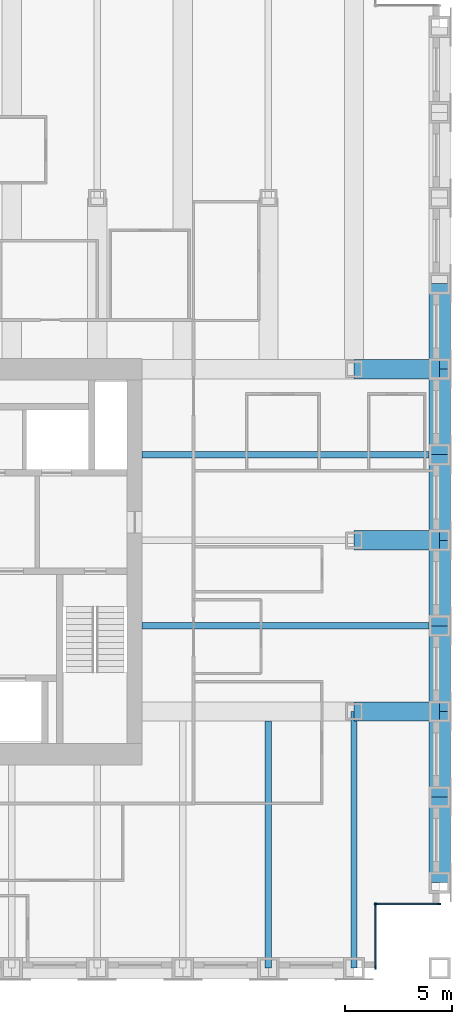
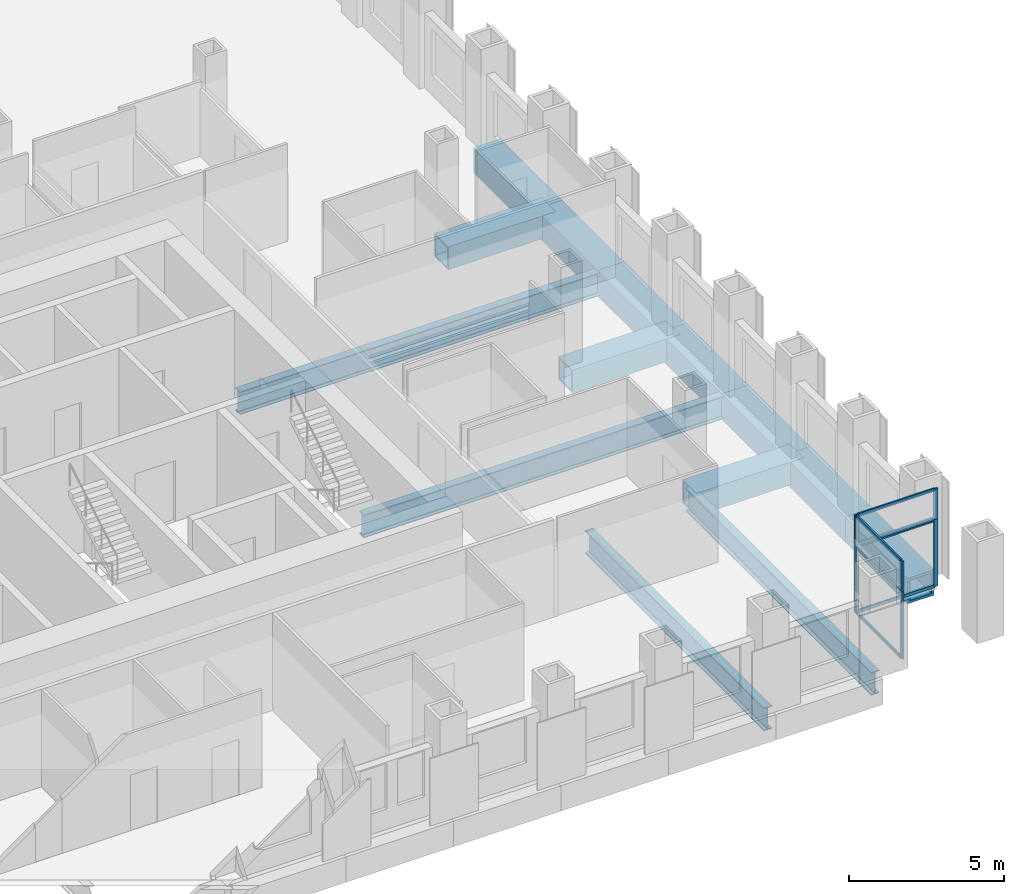
# One storey, part 4 of 14: 16 members, 14 beams, 4 elements without a shape of their own.
"""IFC4 building model written with IfcOpenShell, lengths in metres."""

from ifc_helpers import new_model, si_unit, direction, frame, origin, origin_2d, place, context, subcontext, project, spatial, rectangle, hollow_rectangle, i_section, extrude, material, material_profile, profile_set, type_object, element, aggregate, save


model = new_model("IFC4")

# Units and contexts
model_context = context("Model", 3, precision=1e-05, world=origin(), true_north=direction((0.0, 1.0)))
body_context = subcontext(model_context, "Body", "Model", "MODEL_VIEW")
ifc_project = project(units=[si_unit("LENGTHUNIT", "METRE"), si_unit("AREAUNIT", "SQUARE_METRE"), si_unit("VOLUMEUNIT", "CUBIC_METRE"), si_unit("PLANEANGLEUNIT", "RADIAN"), si_unit("MASSUNIT", "GRAM", prefix="KILO")], contexts=[model_context])

# Site, building, storey
site_placement = place(None, origin())
site = spatial("IfcSite", under=ifc_project, at=site_placement, CompositionType="ELEMENT")
building_placement = place(site_placement, origin())
building = spatial("IfcBuilding", under=site, at=building_placement, Name="Rimbunsela Tower", CompositionType="ELEMENT")
storey_placement = place(building_placement, frame((0.0, 0.0, 234.199951171875)))
storey = spatial("IfcBuildingStorey", under=building, at=storey_placement, Name="L56", CompositionType="ELEMENT", Elevation=234.199951171875)

# Beams
ifc_material_1 = material(Name="Steel BJ 55 (fy 410 MPa)", Category="steel")
ifc_material_profile_1 = material_profile(ifc_material_1, hollow_rectangle(XDim=1.0, YDim=1.0, WallThickness=0.10009765625, at=origin_2d()), Name="BOX 1000x1000x100")
ifc_profile_set_1 = profile_set([ifc_material_profile_1], Name="Steel BJ 55 (fy 410 MPa)")
beam_type_1 = type_object("IfcBeamType", Name="Beam BOX 1000x1000x100", PredefinedType="BEAM", material=ifc_profile_set_1)
for number, where, z_axis, x_axis, name in (
    (1, (50.0, 12.0, -0.64990234375), (0.0, 1.0, 0.0), (-1.0, 0.0, 0.0), "Beam B3 L56"),
    (2, (50.0, 16.0, -0.64990234375), (0.0, 1.0, 0.0), (-1.0, 0.0, 0.0), "Beam B3 L56"),
    (3, (50.0, 20.0, -0.64990234375), (0.0, 1.0, 0.0), (-1.0, 0.0, 0.0), "Beam B3 L56"),
    (4, (50.0, 24.0, -0.64990234375), (0.0, 1.0, 0.0), (-1.0, 0.0, 0.0), "Beam B3 L56"),
    (5, (50.0, 28.0, -0.64990234375), (0.0, 1.0, 0.0), (-1.0, 0.0, 0.0), "Beam B3 L56"),
    (6, (50.0, 32.0, -0.64990234375), (0.0, 1.0, 0.0), (-1.0, 0.0, 0.0), "Beam B3 L56"),
    (7, (50.0, 36.0, -0.64990234375), (0.0, 1.0, 0.0), (-1.0, 0.0, 0.0), "Beam B3 L56"),
):
    element("IfcBeam", number, at=place(storey_placement, frame(where, z_axis=z_axis, x_axis=x_axis)), inside=storey, type_object=beam_type_1, Name=name, PredefinedType="BEAM", context=body_context, shape_type="SweptSolid", body=[
        extrude(hollow_rectangle(XDim=1.0, YDim=1.0, WallThickness=0.10009765625, at=origin_2d()), origin(), (0.0, 0.0, 1.0), 4.0),
    ])
ifc_material_2 = material(Name="Steel BJ 55 (fy 410 MPa)", Category="steel")
ifc_material_profile_2 = material_profile(ifc_material_2, hollow_rectangle(XDim=0.89990234375, YDim=0.89990234375, WallThickness=0.06005859375, at=origin_2d()), Name="BOX 900x900x60")
ifc_profile_set_2 = profile_set([ifc_material_profile_2], Name="Steel BJ 55 (fy 410 MPa)")
beam_type_2 = type_object("IfcBeamType", Name="Beam BOX 900x900x60", PredefinedType="BEAM", material=ifc_profile_set_2)
for number, where, z_axis, x_axis, name in (
    (8, (46.0, 20.0, -0.599853515625), (1.0, 0.0, 0.0), (0.0, 1.0, 0.0), "Beam B1 L56"),
    (9, (46.0, 28.0, -0.599853515625), (1.0, 0.0, 0.0), (0.0, 1.0, 0.0), "Beam B1 L56"),
    (10, (46.0, 36.0, -0.599853515625), (1.0, 0.0, 0.0), (0.0, 1.0, 0.0), "Beam B1 L56"),
):
    element("IfcBeam", number, at=place(storey_placement, frame(where, z_axis=z_axis, x_axis=x_axis)), inside=storey, type_object=beam_type_2, Name=name, PredefinedType="BEAM", context=body_context, shape_type="SweptSolid", body=[
        extrude(hollow_rectangle(XDim=0.89990234375, YDim=0.89990234375, WallThickness=0.06005859375, at=origin_2d()), origin(), (0.0, 0.0, 1.0), 4.0),
    ])
ifc_material_3 = material(Name="Steel BJ 55 (fy 410 MPa)", Category="steel")
ifc_material_profile_3 = material_profile(ifc_material_3, i_section(OverallWidth=0.300048828125, OverallDepth=0.89990234375, WebThickness=0.01611328125, FlangeThickness=0.028076171875, FilletRadius=0.028076171875, at=origin_2d()), Name="H 900x300x16x28")
ifc_profile_set_3 = profile_set([ifc_material_profile_3], Name="Steel BJ 55 (fy 410 MPa)")
beam_type_3 = type_object("IfcBeamType", Name="Beam H 900x300x16x28", PredefinedType="BEAM", material=ifc_profile_set_3)
for number, where, z_axis, x_axis, name in (
    (11, (36.10009765625, 24.0, -0.599853515625), (1.0, 0.0, 0.0), (0.0, 1.0, 0.0), "Beam B2 L56"),
    (12, (36.10009765625, 32.0, -0.599853515625), (1.0, 0.0, 0.0), (0.0, 1.0, 0.0), "Beam B2 L56"),
):
    element("IfcBeam", number, at=place(storey_placement, frame(where, z_axis=z_axis, x_axis=x_axis)), inside=storey, type_object=beam_type_3, Name=name, PredefinedType="BEAM", context=body_context, shape_type="SweptSolid", body=[
        extrude(i_section(OverallWidth=0.300048828125, OverallDepth=0.89990234375, WebThickness=0.01611328125, FlangeThickness=0.028076171875, FilletRadius=0.028076171875, at=origin_2d()), origin(), (0.0, 0.0, 1.0), 13.89990234375),
    ])
beam_1_placement = place(storey_placement, frame((42.0, 8.0, -0.599853515625), z_axis=(0.0, 1.0, 0.0), x_axis=(-1.0, 0.0, 0.0)))
element("IfcBeam", 13, at=beam_1_placement, inside=storey, type_object=beam_type_3, Name="Beam B2 L56", PredefinedType="BEAM", context=body_context, shape_type="SweptSolid", body=[
    extrude(i_section(OverallWidth=0.300048828125, OverallDepth=0.89990234375, WebThickness=0.01611328125, FlangeThickness=0.028076171875, FilletRadius=0.028076171875, at=origin_2d()), origin(), (0.0, 0.0, 1.0), 11.550048828125),
])
beam_2_placement = place(storey_placement, frame((46.0, 8.0, -0.599853515625), z_axis=(0.0, 1.0, 0.0), x_axis=(-1.0, 0.0, 0.0)))
element("IfcBeam", 14, at=beam_2_placement, inside=storey, type_object=beam_type_3, Name="Beam B2 L56", PredefinedType="BEAM", context=body_context, shape_type="SweptSolid", body=[
    extrude(i_section(OverallWidth=0.300048828125, OverallDepth=0.89990234375, WebThickness=0.01611328125, FlangeThickness=0.028076171875, FilletRadius=0.028076171875, at=origin_2d()), origin(), (0.0, 0.0, 1.0), 12.0),
])

# Curtain wall, members
ifc_material_4 = material(Name="Aluminium curtain wall", Category="aluminium")
curtain_wall_type_1 = type_object("IfcCurtainWallType", Name="Corner glazing", PredefinedType="USERDEFINED", material=ifc_material_4)
curtain_wall_1_placement = place(storey_placement, origin())
curtain_wall_1 = element("IfcCurtainWall", 15, at=curtain_wall_1_placement, inside=storey, type_object=curtain_wall_type_1, Name="Corner glazing L56", ObjectType="CORNER GLAZING", PredefinedType="USERDEFINED")
ifc_material_5 = material(Name="Aluminium mullion", Category="aluminium")
ifc_material_profile_4 = material_profile(ifc_material_5, rectangle(XDim=0.06005859375, YDim=0.159912109375, at=origin_2d()), Name="Mullion 60x160")
ifc_profile_set_4 = profile_set([ifc_material_profile_4], Name="Aluminium mullion")
member_type_1 = type_object("IfcMemberType", Name="Curtain wall mullion 60x160", PredefinedType="MULLION", material=ifc_profile_set_4)
member_1_placement = place(storey_placement, frame((47.0, 8.030029296875, 0.0), z_axis=(0.0, 0.0, 1.0), x_axis=(-1.0, 0.0, 0.0)))
member_1 = element("IfcMember", 16, at=member_1_placement, type_object=member_type_1, Name="CW5 mullion 1", PredefinedType="MULLION", context=body_context, shape_type="SweptSolid", body=[
    extrude(rectangle(XDim=0.06005859375, YDim=0.159912109375, at=origin_2d()), origin(), (0.0, 0.0, 1.0), 2.650146484375),
])
member_2_placement = place(storey_placement, frame((47.0, 10.969970703125, 0.0), z_axis=(0.0, 0.0, 1.0), x_axis=(-1.0, 0.0, 0.0)))
member_2 = element("IfcMember", 17, at=member_2_placement, type_object=member_type_1, Name="CW5 mullion 2", PredefinedType="MULLION", context=body_context, shape_type="SweptSolid", body=[
    extrude(rectangle(XDim=0.06005859375, YDim=0.159912109375, at=origin_2d()), origin(), (0.0, 0.0, 1.0), 2.650146484375),
])

ifc_material_6 = material(Name="Aluminium curtain wall", Category="aluminium")
curtain_wall_type_2 = type_object("IfcCurtainWallType", Name="Spandrel wall", PredefinedType="USERDEFINED", material=ifc_material_6)
curtain_wall_2_placement = place(storey_placement, origin())
curtain_wall_2 = element("IfcCurtainWall", 18, at=curtain_wall_2_placement, inside=storey, type_object=curtain_wall_type_2, Name="Spandrel wall L56", ObjectType="SPANDREL WALL", PredefinedType="USERDEFINED")
member_3_placement = place(storey_placement, frame((47.0, 8.030029296875, 2.650146484375), z_axis=(0.0, 0.0, 1.0), x_axis=(-1.0, 0.0, 0.0)))
member_3 = element("IfcMember", 19, at=member_3_placement, type_object=member_type_1, Name="CW7 mullion 1", PredefinedType="MULLION", context=body_context, shape_type="SweptSolid", body=[
    extrude(rectangle(XDim=0.06005859375, YDim=0.159912109375, at=origin_2d()), origin(), (0.0, 0.0, 1.0), 1.199951171875),
])
member_4_placement = place(storey_placement, frame((47.0, 10.969970703125, 2.650146484375), z_axis=(0.0, 0.0, 1.0), x_axis=(-1.0, 0.0, 0.0)))
member_4 = element("IfcMember", 20, at=member_4_placement, type_object=member_type_1, Name="CW7 mullion 2", PredefinedType="MULLION", context=body_context, shape_type="SweptSolid", body=[
    extrude(rectangle(XDim=0.06005859375, YDim=0.159912109375, at=origin_2d()), origin(), (0.0, 0.0, 1.0), 1.199951171875),
])

curtain_wall_3_placement = place(storey_placement, origin())
curtain_wall_3 = element("IfcCurtainWall", 21, at=curtain_wall_3_placement, inside=storey, type_object=curtain_wall_type_1, Name="Corner glazing L56", ObjectType="CORNER GLAZING", PredefinedType="USERDEFINED")
member_5_placement = place(storey_placement, frame((47.030029296875, 11.0, 0.0), z_axis=(0.0, 0.0, 1.0), x_axis=(0.0, 1.0, 0.0)))
member_5 = element("IfcMember", 22, at=member_5_placement, type_object=member_type_1, Name="CW5 mullion 1", PredefinedType="MULLION", context=body_context, shape_type="SweptSolid", body=[
    extrude(rectangle(XDim=0.06005859375, YDim=0.159912109375, at=origin_2d()), origin(), (0.0, 0.0, 1.0), 2.650146484375),
])
member_6_placement = place(storey_placement, frame((49.969970703125, 11.0, 0.0), z_axis=(0.0, 0.0, 1.0), x_axis=(0.0, 1.0, 0.0)))
member_6 = element("IfcMember", 23, at=member_6_placement, type_object=member_type_1, Name="CW5 mullion 2", PredefinedType="MULLION", context=body_context, shape_type="SweptSolid", body=[
    extrude(rectangle(XDim=0.06005859375, YDim=0.159912109375, at=origin_2d()), origin(), (0.0, 0.0, 1.0), 2.650146484375),
])

curtain_wall_4_placement = place(storey_placement, origin())
curtain_wall_4 = element("IfcCurtainWall", 24, at=curtain_wall_4_placement, inside=storey, type_object=curtain_wall_type_2, Name="Spandrel wall L56", ObjectType="SPANDREL WALL", PredefinedType="USERDEFINED")
member_7_placement = place(storey_placement, frame((47.030029296875, 11.0, 2.650146484375), z_axis=(0.0, 0.0, 1.0), x_axis=(0.0, 1.0, 0.0)))
member_7 = element("IfcMember", 25, at=member_7_placement, type_object=member_type_1, Name="CW7 mullion 1", PredefinedType="MULLION", context=body_context, shape_type="SweptSolid", body=[
    extrude(rectangle(XDim=0.06005859375, YDim=0.159912109375, at=origin_2d()), origin(), (0.0, 0.0, 1.0), 1.199951171875),
])
member_8_placement = place(storey_placement, frame((49.969970703125, 11.0, 2.650146484375), z_axis=(0.0, 0.0, 1.0), x_axis=(0.0, 1.0, 0.0)))
member_8 = element("IfcMember", 26, at=member_8_placement, type_object=member_type_1, Name="CW7 mullion 2", PredefinedType="MULLION", context=body_context, shape_type="SweptSolid", body=[
    extrude(rectangle(XDim=0.06005859375, YDim=0.159912109375, at=origin_2d()), origin(), (0.0, 0.0, 1.0), 1.199951171875),
])

# Member
ifc_material_7 = material(Name="Aluminium transom", Category="aluminium")
ifc_material_profile_5 = material_profile(ifc_material_7, rectangle(XDim=0.06005859375, YDim=0.1201171875, at=origin_2d()), Name="Transom 60x120")
ifc_profile_set_5 = profile_set([ifc_material_profile_5], Name="Aluminium transom")
member_type_2 = type_object("IfcMemberType", Name="Curtain wall transom 60x120", PredefinedType="USERDEFINED", material=ifc_profile_set_5)
member_9_placement = place(storey_placement, frame((47.0, 8.06005859375, 0.030029296875), z_axis=(0.0, 1.0, 0.0), x_axis=(-1.0, 0.0, 0.0)))
member_9 = element("IfcMember", 27, at=member_9_placement, type_object=member_type_2, Name="CW5 transom 1.1", ObjectType="TRANSOM", PredefinedType="USERDEFINED", context=body_context, shape_type="SweptSolid", body=[
    extrude(rectangle(XDim=0.06005859375, YDim=0.1201171875, at=origin_2d()), origin(), (0.0, 0.0, 1.0), 2.8798828125),
])

member_10_placement = place(storey_placement, frame((47.0, 8.06005859375, 2.6201171875), z_axis=(0.0, 1.0, 0.0), x_axis=(-1.0, 0.0, 0.0)))
member_10 = element("IfcMember", 28, at=member_10_placement, type_object=member_type_2, Name="CW5 transom 1.2", ObjectType="TRANSOM", PredefinedType="USERDEFINED", context=body_context, shape_type="SweptSolid", body=[
    extrude(rectangle(XDim=0.06005859375, YDim=0.1201171875, at=origin_2d()), origin(), (0.0, 0.0, 1.0), 2.8798828125),
])

aggregate(curtain_wall_1, [member_1, member_2, member_9, member_10])

member_11_placement = place(storey_placement, frame((47.0, 8.06005859375, 2.679931640625), z_axis=(0.0, 1.0, 0.0), x_axis=(-1.0, 0.0, 0.0)))
member_11 = element("IfcMember", 29, at=member_11_placement, type_object=member_type_2, Name="CW7 transom 1.1", ObjectType="TRANSOM", PredefinedType="USERDEFINED", context=body_context, shape_type="SweptSolid", body=[
    extrude(rectangle(XDim=0.06005859375, YDim=0.1201171875, at=origin_2d()), origin(), (0.0, 0.0, 1.0), 2.8798828125),
])

member_12_placement = place(storey_placement, frame((47.0, 8.06005859375, 3.820068359375), z_axis=(0.0, 1.0, 0.0), x_axis=(-1.0, 0.0, 0.0)))
member_12 = element("IfcMember", 30, at=member_12_placement, type_object=member_type_2, Name="CW7 transom 1.2", ObjectType="TRANSOM", PredefinedType="USERDEFINED", context=body_context, shape_type="SweptSolid", body=[
    extrude(rectangle(XDim=0.06005859375, YDim=0.1201171875, at=origin_2d()), origin(), (0.0, 0.0, 1.0), 2.8798828125),
])

aggregate(curtain_wall_2, [member_3, member_4, member_11, member_12])

member_13_placement = place(storey_placement, frame((47.06005859375, 11.0, 0.030029296875), z_axis=(1.0, 0.0, 0.0), x_axis=(0.0, 1.0, 0.0)))
member_13 = element("IfcMember", 31, at=member_13_placement, type_object=member_type_2, Name="CW5 transom 1.1", ObjectType="TRANSOM", PredefinedType="USERDEFINED", context=body_context, shape_type="SweptSolid", body=[
    extrude(rectangle(XDim=0.06005859375, YDim=0.1201171875, at=origin_2d()), origin(), (0.0, 0.0, 1.0), 2.8798828125),
])

member_14_placement = place(storey_placement, frame((47.06005859375, 11.0, 2.6201171875), z_axis=(1.0, 0.0, 0.0), x_axis=(0.0, 1.0, 0.0)))
member_14 = element("IfcMember", 32, at=member_14_placement, type_object=member_type_2, Name="CW5 transom 1.2", ObjectType="TRANSOM", PredefinedType="USERDEFINED", context=body_context, shape_type="SweptSolid", body=[
    extrude(rectangle(XDim=0.06005859375, YDim=0.1201171875, at=origin_2d()), origin(), (0.0, 0.0, 1.0), 2.8798828125),
])

aggregate(curtain_wall_3, [member_5, member_6, member_13, member_14])

member_15_placement = place(storey_placement, frame((47.06005859375, 11.0, 2.679931640625), z_axis=(1.0, 0.0, 0.0), x_axis=(0.0, 1.0, 0.0)))
member_15 = element("IfcMember", 33, at=member_15_placement, type_object=member_type_2, Name="CW7 transom 1.1", ObjectType="TRANSOM", PredefinedType="USERDEFINED", context=body_context, shape_type="SweptSolid", body=[
    extrude(rectangle(XDim=0.06005859375, YDim=0.1201171875, at=origin_2d()), origin(), (0.0, 0.0, 1.0), 2.8798828125),
])

member_16_placement = place(storey_placement, frame((47.06005859375, 11.0, 3.820068359375), z_axis=(1.0, 0.0, 0.0), x_axis=(0.0, 1.0, 0.0)))
member_16 = element("IfcMember", 34, at=member_16_placement, type_object=member_type_2, Name="CW7 transom 1.2", ObjectType="TRANSOM", PredefinedType="USERDEFINED", context=body_context, shape_type="SweptSolid", body=[
    extrude(rectangle(XDim=0.06005859375, YDim=0.1201171875, at=origin_2d()), origin(), (0.0, 0.0, 1.0), 2.8798828125),
])

aggregate(curtain_wall_4, [member_7, member_8, member_15, member_16])

save(model, "model.ifc")
